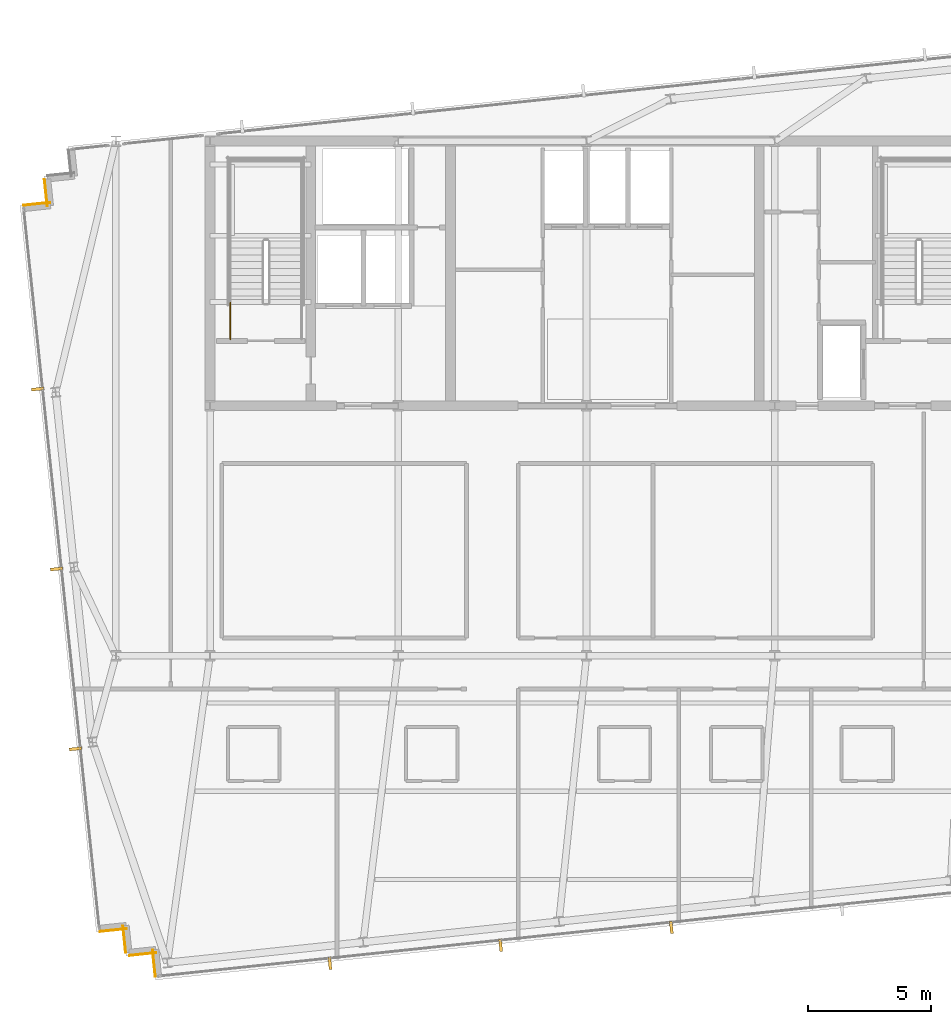
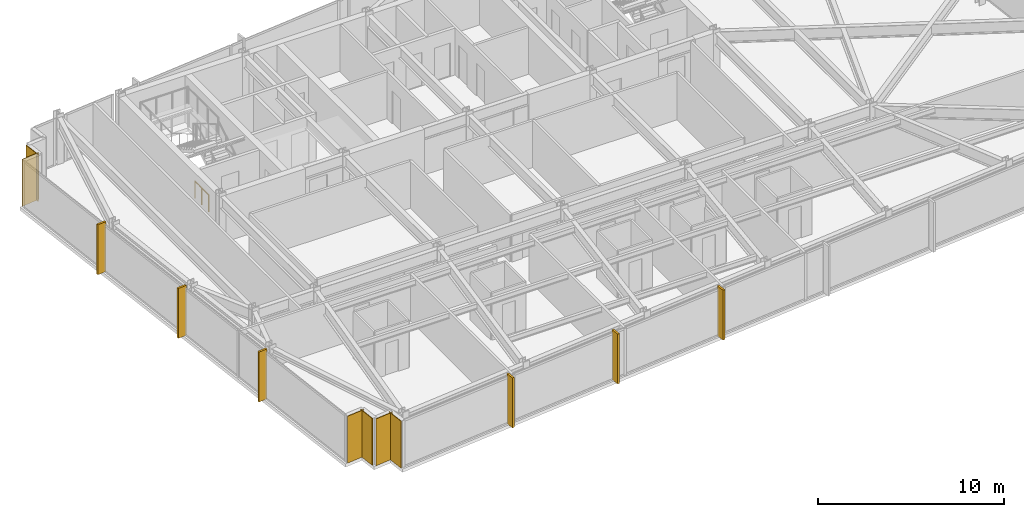
# One storey, part 30 of 33: 6 coverings, 6 shading devices, 1 railing.
"""IFC4 building model written with IfcOpenShell, lengths in metres."""

from ifc_helpers import new_model, si_unit, direction, frame, frame_2d, origin, origin_2d, place, context, subcontext, project, spatial, rectangle, circle, extrude, material, layer, layer_set, type_object, element, save


model = new_model("IFC4")

# Units and contexts
model_context = context("Model", 3, precision=1e-05, world=origin(), true_north=direction((0.0, 1.0)))
body_context = subcontext(model_context, "Body", "Model", "MODEL_VIEW")
ifc_project = project(units=[si_unit("LENGTHUNIT", "METRE"), si_unit("AREAUNIT", "SQUARE_METRE"), si_unit("VOLUMEUNIT", "CUBIC_METRE"), si_unit("PLANEANGLEUNIT", "RADIAN"), si_unit("MASSUNIT", "GRAM", prefix="KILO")], contexts=[model_context])

# Site, building, storey
site_placement = place(None, origin())
site = spatial("IfcSite", under=ifc_project, at=site_placement, CompositionType="ELEMENT")
building_placement = place(site_placement, origin())
building = spatial("IfcBuilding", under=site, at=building_placement, Name="Yelkora Congress Tower", CompositionType="ELEMENT")
storey_placement = place(building_placement, frame((0.0, 0.0, 221.0)))
storey = spatial("IfcBuildingStorey", under=building, at=storey_placement, Name="L61", CompositionType="ELEMENT", Elevation=221.0)

# Coverings
ifc_material_1 = material(Name="Anatolian bush-hammered limestone", Category="masonry")
ifc_layer_1 = layer(ifc_material_1, 0.0400390625)
ifc_layer_set_1 = layer_set([ifc_layer_1], Name="Anatolian bush-hammered limestone")
covering_type = type_object("IfcCoveringType", Name="COV-CLAD-SPANDREL-40", PredefinedType="CLADDING", material=ifc_layer_set_1)
covering_1_placement = place(storey_placement, frame((20.810302734375, 12.114501953125, 0.0), z_axis=(0.0, 0.0, 1.0), x_axis=(-0.104557671117, 0.994518825066, 0.0)))
element("IfcCovering", 1, at=covering_1_placement, inside=storey, type_object=covering_type, Name="L61 Anatolian Limestone Cladding EW-L61-SR01", PredefinedType="CLADDING", context=body_context, shape_type="SweptSolid", body=[
    extrude(rectangle(XDim=1.099853515625, YDim=0.0400390625, at=frame_2d((0.5498046875, 0.0))), origin(), (0.0, 0.0, 1.0), 3.080078125),
])
for number, where, z_axis, x_axis, name in (
    (2, (20.84375, 13.088134765625, 0.0), (0.0, 0.0, 1.0), (-0.994521251134, -0.104534592565, 0.0), "L61 Anatolian Limestone Cladding EW-L61-SR02"),
    (3, (19.601318359375, 13.09326171875, 0.0), (0.0, 0.0, 1.0), (-0.104534592565, 0.994521251134, 0.0), "L61 Anatolian Limestone Cladding EW-L61-SR03"),
    (4, (19.634765625, 14.067138671875, 0.0), (0.0, 0.0, 1.0), (-0.994521251134, -0.104534592565, 0.0), "L61 Anatolian Limestone Cladding EW-L61-SR04"),
):
    element("IfcCovering", number, at=place(storey_placement, frame(where, z_axis=z_axis, x_axis=x_axis)), inside=storey, type_object=covering_type, Name=name, PredefinedType="CLADDING", context=body_context, shape_type="SweptSolid", body=[
        extrude(rectangle(XDim=1.10009765625, YDim=0.0400390625, at=frame_2d((0.550048828125, 0.0))), origin(), (0.0, 0.0, 1.0), 3.080078125),
    ])
covering_2_placement = place(storey_placement, frame((15.427001953125, 43.5791015625, 0.0), z_axis=(0.0, 0.0, 1.0), x_axis=(0.994518825066, 0.104557671117, 0.0)))
element("IfcCovering", 5, at=covering_2_placement, inside=storey, type_object=covering_type, Name="L61 Anatolian Limestone Cladding EW-L61-SR06", PredefinedType="CLADDING", context=body_context, shape_type="SweptSolid", body=[
    extrude(rectangle(XDim=1.099853515625, YDim=0.0400390625, at=frame_2d((0.5498046875, 0.0))), origin(), (0.0, 0.0, 1.0), 3.080078125),
])
covering_3_placement = place(storey_placement, frame((16.400634765625, 43.545654296875, 0.0), z_axis=(0.0, 0.0, 1.0), x_axis=(-0.104315068386, 0.994544300928, 0.0)))
element("IfcCovering", 6, at=covering_3_placement, inside=storey, type_object=covering_type, Name="L61 Anatolian Limestone Cladding EW-L61-SR07", PredefinedType="CLADDING", context=body_context, shape_type="SweptSolid", body=[
    extrude(rectangle(XDim=1.10009765625, YDim=0.0400390625, at=frame_2d((0.550048828125, 0.0))), origin(), (0.0, 0.0, 1.0), 3.080078125),
])

# Railing
ifc_material_2 = material(Name="Painted galvanised steel stair well guard with vertical infill", Category="steel")
ifc_layer_2 = layer(ifc_material_2, 0.06005859375)
ifc_layer_set_2 = layer_set([ifc_layer_2], Name="Painted galvanised steel stair well guard with vertical infill")
railing_type = type_object("IfcRailingType", Name="RAIL-STAIR-GUARD-1120", PredefinedType="GUARDRAIL", material=ifc_layer_set_2)
railing_placement = place(storey_placement, frame((23.8701171875, 38.1201171875, 0.0)))
element("IfcRailing", 7, at=railing_placement, inside=storey, type_object=railing_type, Name="ST-01 L61 Stair Well Guardrail 9", PredefinedType="GUARDRAIL", context=body_context, shape_type="SweptSolid", body=[
    extrude(circle(Radius=0.02392578125, at=origin_2d()), frame((0.0, 0.0, 1.09619140625), z_axis=(0.0, 1.0, 0.0), x_axis=(-1.0, 0.0, 0.0)), (0.0, 0.0, 1.0), 1.47998046875),
    extrude(circle(Radius=0.02099609375, at=origin_2d()), origin(), (0.0, 0.0, 1.0), 1.072021484375),
    extrude(circle(Radius=0.02099609375, at=origin_2d()), frame((0.0, 0.739990234375, 0.0)), (0.0, 0.0, 1.0), 1.072021484375),
    extrude(circle(Radius=0.02099609375, at=origin_2d()), frame((0.0, 1.47998046875, 0.0)), (0.0, 0.0, 1.0), 1.072021484375),
])

# Shading devices
ifc_material_3 = material(Name="Champagne anodised aluminium", Category="aluminium")
ifc_layer_3 = layer(ifc_material_3, 3.300048828125)
ifc_layer_set_3 = layer_set([ifc_layer_3], Name="Champagne anodised aluminium")
shading_device_type = type_object("IfcShadingDeviceType", Name="SHD-FIN-ALU-520", PredefinedType="USERDEFINED", material=ifc_layer_set_3)
for number, where, z_axis, x_axis, name in (
    (8, (17.556396484375, 21.405029296875, -0.02978515625), (0.0, 0.0, 1.0), (-0.104528463268, 0.994521895368, 0.0), "L61 Vertical Anodised Solar Fin 5-1"),
    (9, (16.784912109375, 28.74462890625, -0.02978515625), (0.0, 0.0, 1.0), (-0.104528463268, 0.994521895368, 0.0), "L61 Vertical Anodised Solar Fin 5-2"),
    (10, (16.013671875, 36.084228515625, -0.02978515625), (0.0, 0.0, 1.0), (-0.104528463268, 0.994521895368, 0.0), "L61 Vertical Anodised Solar Fin 5-3"),
    (11, (41.85888671875, 14.12548828125, -0.02978515625), (0.0, 0.0, 1.0), (-0.994521895368, -0.104528463268, 0.0), "L61 Vertical Anodised Solar Fin 20-4"),
    (12, (34.89453125, 13.3935546875, -0.02978515625), (0.0, 0.0, 1.0), (-0.994521895368, -0.104528463268, 0.0), "L61 Vertical Anodised Solar Fin 20-5"),
    (13, (27.929931640625, 12.66162109375, -0.02978515625), (0.0, 0.0, 1.0), (-0.994521895368, -0.104528463268, 0.0), "L61 Vertical Anodised Solar Fin 20-6"),
):
    element("IfcShadingDevice", number, at=place(storey_placement, frame(where, z_axis=z_axis, x_axis=x_axis)), inside=storey, type_object=shading_device_type, Name=name, ObjectType="FIN", PredefinedType="USERDEFINED", context=body_context, shape_type="SweptSolid", body=[
        extrude(rectangle(XDim=0.1201171875, YDim=0.52001953125, at=origin_2d()), origin(), (0.0, 0.0, 1.0), 3.280029296875),
    ])

save(model, "model.ifc")
